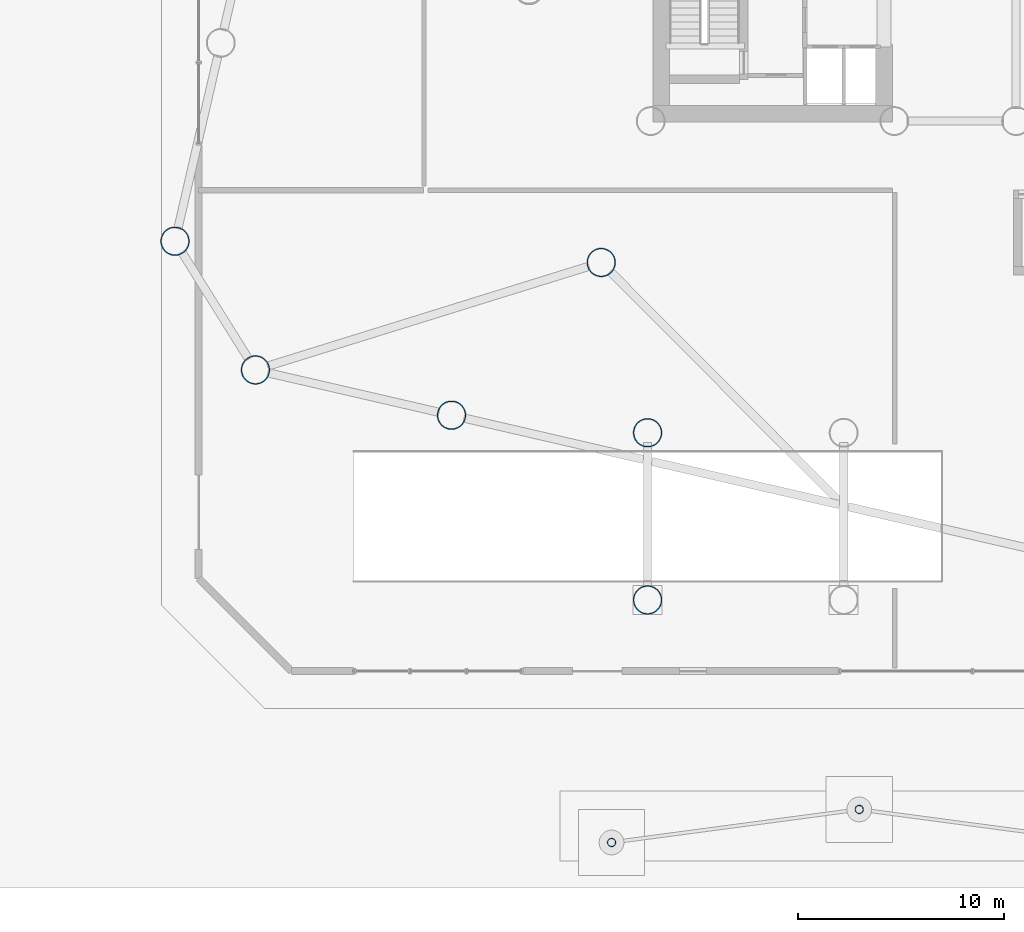
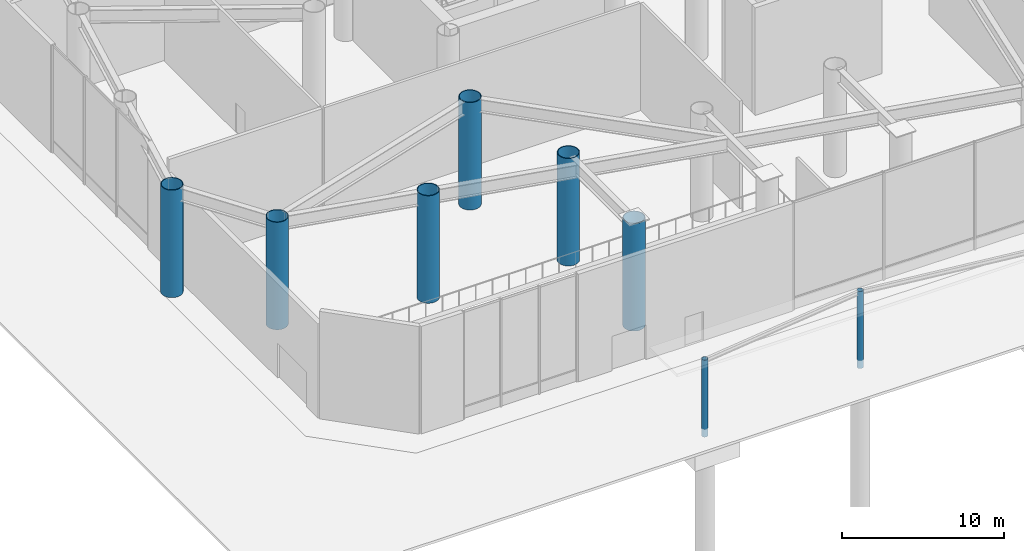
# One storey, part 2 of 28: 8 columns.
"""IFC4 building model written with IfcOpenShell, lengths in metres."""

from ifc_helpers import new_model, si_unit, direction, frame, origin, origin_2d, place, context, subcontext, project, spatial, hollow_circle, extrude, material, material_profile, profile_set, type_object, element, save


model = new_model("IFC4")

# Units and contexts
model_context = context("Model", 3, precision=1e-05, world=origin(), true_north=direction((0.0, 1.0)))
body_context = subcontext(model_context, "Body", "Model", "MODEL_VIEW")
ifc_project = project(units=[si_unit("LENGTHUNIT", "METRE"), si_unit("AREAUNIT", "SQUARE_METRE"), si_unit("VOLUMEUNIT", "CUBIC_METRE"), si_unit("PLANEANGLEUNIT", "RADIAN"), si_unit("MASSUNIT", "GRAM", prefix="KILO")], contexts=[model_context])

# Site, building, storey
site_placement = place(None, origin())
site = spatial("IfcSite", under=ifc_project, at=site_placement, CompositionType="ELEMENT")
building_placement = place(site_placement, origin())
building = spatial("IfcBuilding", under=site, at=building_placement, Name="Tavrogorsk Clinical Tower", CompositionType="ELEMENT")
storey_placement = place(building_placement, origin())
storey = spatial("IfcBuildingStorey", under=building, at=storey_placement, Name="L00", CompositionType="ELEMENT", Elevation=0.0)

# Columns
ifc_material_1 = material(Name="Structural steel S355", Category="steel")
ifc_material_profile_1 = material_profile(ifc_material_1, hollow_circle(Radius=0.203125, WallThickness=0.01611328125, at=origin_2d()), Name="CHS-406.4x16")
ifc_profile_set_1 = profile_set([ifc_material_profile_1], Name="Structural steel S355")
column_type_1 = type_object("IfcColumnType", Name="CanopyCol_CHS406", PredefinedType="COLUMN", material=ifc_profile_set_1)
for number, where, z_axis, x_axis, name in (
    (1, (-24.0, -41.300048828125, -0.60009765625), (0.0, 0.0, 1.0), (1.0, 0.0, 0.0), "Ambulance Canopy Column CP-1"),
    (2, (-12.0, -39.699951171875, -0.60009765625), (0.0, 0.0, 1.0), (1.0, 0.0, 0.0), "Ambulance Canopy Column CP-2"),
):
    element("IfcColumn", number, at=place(storey_placement, frame(where, z_axis=z_axis, x_axis=x_axis)), inside=storey, type_object=column_type_1, Name=name, PredefinedType="COLUMN", context=body_context, shape_type="SweptSolid", body=[
        extrude(hollow_circle(Radius=0.203125, WallThickness=0.01611328125, at=origin_2d()), origin(), (0.0, 0.0, 1.0), 5.800048828125),
    ])
ifc_material_2 = material(Name="Structural steel S440", Category="steel")
ifc_material_profile_2 = material_profile(ifc_material_2, hollow_circle(Radius=0.699951171875, WallThickness=0.050048828125, at=origin_2d()), Name="CHS-1400x50")
ifc_profile_set_2 = profile_set([ifc_material_profile_2], Name="Structural steel S440")
column_type_2 = type_object("IfcColumnType", Name="PilotisStilt_CHS1400", PredefinedType="COLUMN", material=ifc_profile_set_2)
for number, where, z_axis, x_axis, name in (
    (3, (-24.5, -13.199951171875, 0.0), (0.0, 0.0, 1.0), (1.0, 0.0, 0.0), "L00 Spine Pilotis Column MC-P1"),
    (4, (-41.251220703125, -18.406005859375, 0.0), (0.0, 0.0, 1.0), (1.0, 0.0, 0.0), "L00 Open Pilotis Stilt S1"),
    (5, (-31.75244140625, -20.598876953125, 0.0), (0.0, 0.0, 1.0), (1.0, 0.0, 0.0), "L00 Open Pilotis Stilt S2"),
    (6, (-22.25390625, -29.550048828125, 0.0), (0.0, 0.0, 1.0), (1.0, 0.0, 0.0), "L00 Ramp Portal Stilt S3-S"),
    (7, (-22.25390625, -21.449951171875, 0.0), (0.0, 0.0, 1.0), (1.0, 0.0, 0.0), "L00 Ramp Portal Stilt S3-N"),
    (8, (-45.148193359375, -12.16943359375, 0.0), (0.0, 0.0, 1.0), (1.0, 0.0, 0.0), "L00 Open Pilotis Stilt W5"),
):
    element("IfcColumn", number, at=place(storey_placement, frame(where, z_axis=z_axis, x_axis=x_axis)), inside=storey, type_object=column_type_2, Name=name, PredefinedType="COLUMN", context=body_context, shape_type="SweptSolid", body=[
        extrude(hollow_circle(Radius=0.699951171875, WallThickness=0.050048828125, at=origin_2d()), origin(), (0.0, 0.0, 1.0), 8.10009765625),
    ])

save(model, "model.ifc")
